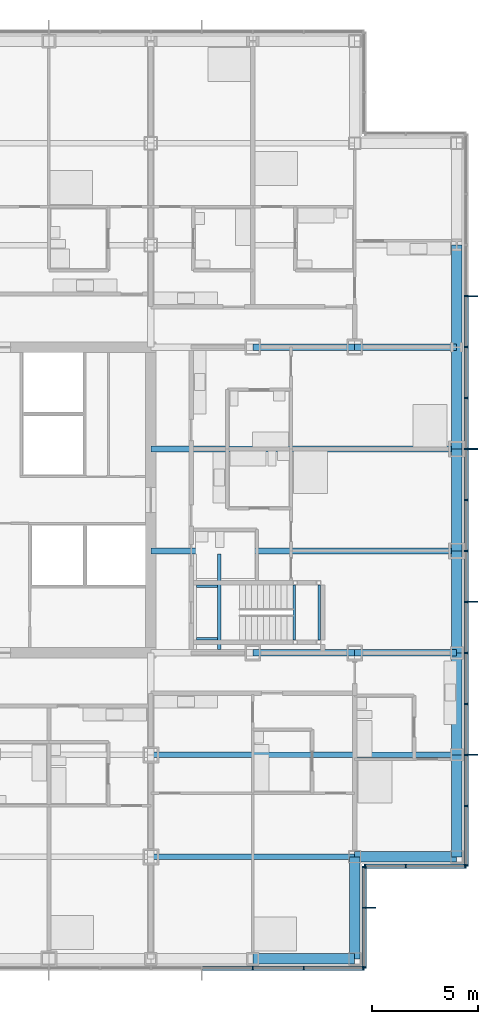
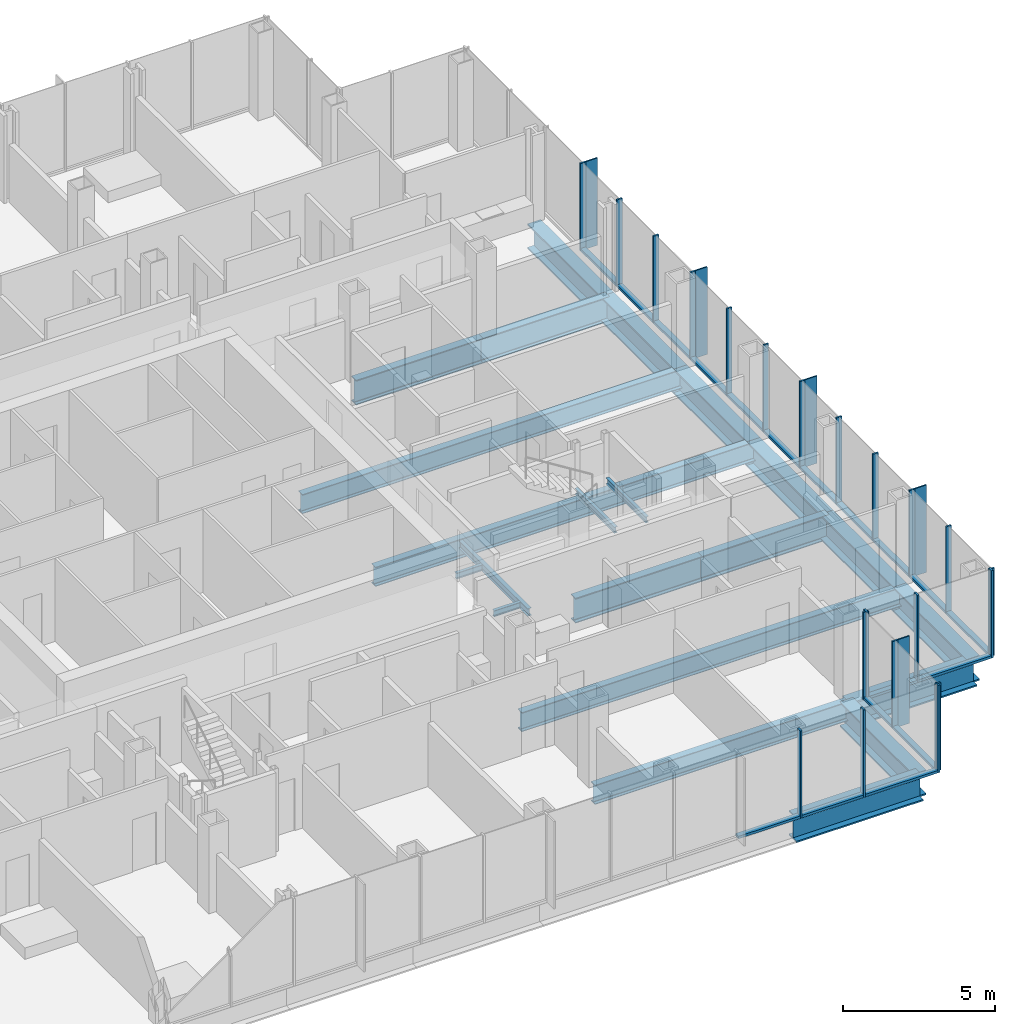
# One storey, part 9 of 21: 44 members, 22 beams, 4 elements without a shape of their own.
"""IFC4 building model written with IfcOpenShell, lengths in metres."""

from ifc_helpers import new_model, si_unit, direction, frame, origin, origin_2d, place, context, subcontext, project, spatial, rectangle, i_section, extrude, material, material_profile, profile_set, type_object, element, aggregate, save


model = new_model("IFC4")

# Units and contexts
model_context = context("Model", 3, precision=1e-05, world=origin(), true_north=direction((0.0, 1.0)))
body_context = subcontext(model_context, "Body", "Model", "MODEL_VIEW")
ifc_project = project(units=[si_unit("LENGTHUNIT", "METRE"), si_unit("AREAUNIT", "SQUARE_METRE"), si_unit("VOLUMEUNIT", "CUBIC_METRE"), si_unit("PLANEANGLEUNIT", "RADIAN"), si_unit("MASSUNIT", "GRAM", prefix="KILO")], contexts=[model_context])

# Site, building, storey
site_placement = place(None, origin())
site = spatial("IfcSite", under=ifc_project, at=site_placement, CompositionType="ELEMENT")
building_placement = place(site_placement, origin())
building = spatial("IfcBuilding", under=site, at=building_placement, Name="Kvirike Care Tower", CompositionType="ELEMENT")
storey_placement = place(building_placement, frame((0.0, 0.0, 44.5)))
storey = spatial("IfcBuildingStorey", under=building, at=storey_placement, Name="L11", CompositionType="ELEMENT", Elevation=44.5)

# Curtain wall, member
ifc_material_1 = material(Name="Anodised aluminium stick system", Category="aluminium")
curtain_wall_type = type_object("IfcCurtainWallType", Name="CW-A STICK CURTAIN WALL", PredefinedType="NOTDEFINED", material=ifc_material_1)
curtain_wall_1_placement = place(storey_placement, origin())
curtain_wall_1 = element("IfcCurtainWall", 1, at=curtain_wall_1_placement, inside=storey, type_object=curtain_wall_type, Name="Curtain wall L11 face 5", PredefinedType="NOTDEFINED")
ifc_material_2 = material(Name="Bronze anodised aluminium fin", Category="aluminium")
ifc_material_profile_1 = material_profile(ifc_material_2, rectangle(XDim=0.050048828125, YDim=0.449951171875, at=origin_2d()), Name="BRONZE FIN 450")
ifc_profile_set_1 = profile_set([ifc_material_profile_1], Name="Bronze anodised aluminium fin")
member_type_1 = type_object("IfcMemberType", Name="BRONZE FIN 450", PredefinedType="USERDEFINED", material=ifc_profile_set_1)
member_1_placement = place(storey_placement, frame((39.175048828125, 16.800048828125, 0.0), z_axis=(0.0, 0.0, 1.0), x_axis=(0.0, 1.0, 0.0)))
member_1 = element("IfcMember", 2, at=member_1_placement, type_object=member_type_1, Name="Bronze fin L11 face 5.2", ObjectType="FIN", PredefinedType="USERDEFINED", context=body_context, shape_type="SweptSolid", body=[
    extrude(rectangle(XDim=0.050048828125, YDim=0.449951171875, at=origin_2d()), origin(), (0.0, 0.0, 1.0), 3.5),
])

# Curtain wall, members
curtain_wall_2_placement = place(storey_placement, origin())
curtain_wall_2 = element("IfcCurtainWall", 3, at=curtain_wall_2_placement, inside=storey, type_object=curtain_wall_type, Name="Curtain wall L11 face 7", PredefinedType="NOTDEFINED")
member_2_placement = place(storey_placement, frame((43.97509765625, 24.0, 0.0), z_axis=(0.0, 0.0, 1.0), x_axis=(0.0, 1.0, 0.0)))
member_2 = element("IfcMember", 4, at=member_2_placement, type_object=member_type_1, Name="Bronze fin L11 face 7.3", ObjectType="FIN", PredefinedType="USERDEFINED", context=body_context, shape_type="SweptSolid", body=[
    extrude(rectangle(XDim=0.050048828125, YDim=0.449951171875, at=origin_2d()), origin(), (0.0, 0.0, 1.0), 3.5),
])
member_3_placement = place(storey_placement, frame((43.97509765625, 31.199951171875, 0.0), z_axis=(0.0, 0.0, 1.0), x_axis=(0.0, 1.0, 0.0)))
member_3 = element("IfcMember", 5, at=member_3_placement, type_object=member_type_1, Name="Bronze fin L11 face 7.6", ObjectType="FIN", PredefinedType="USERDEFINED", context=body_context, shape_type="SweptSolid", body=[
    extrude(rectangle(XDim=0.050048828125, YDim=0.449951171875, at=origin_2d()), origin(), (0.0, 0.0, 1.0), 3.5),
])
member_4_placement = place(storey_placement, frame((43.97509765625, 38.39990234375, 0.0), z_axis=(0.0, 0.0, 1.0), x_axis=(0.0, 1.0, 0.0)))
member_4 = element("IfcMember", 6, at=member_4_placement, type_object=member_type_1, Name="Bronze fin L11 face 7.9", ObjectType="FIN", PredefinedType="USERDEFINED", context=body_context, shape_type="SweptSolid", body=[
    extrude(rectangle(XDim=0.050048828125, YDim=0.449951171875, at=origin_2d()), origin(), (0.0, 0.0, 1.0), 3.5),
])
member_5_placement = place(storey_placement, frame((43.97509765625, 45.60009765625, 0.0), z_axis=(0.0, 0.0, 1.0), x_axis=(0.0, 1.0, 0.0)))
member_5 = element("IfcMember", 7, at=member_5_placement, type_object=member_type_1, Name="Bronze fin L11 face 7.12", ObjectType="FIN", PredefinedType="USERDEFINED", context=body_context, shape_type="SweptSolid", body=[
    extrude(rectangle(XDim=0.050048828125, YDim=0.449951171875, at=origin_2d()), origin(), (0.0, 0.0, 1.0), 3.5),
])

curtain_wall_3_placement = place(storey_placement, origin())
curtain_wall_3 = element("IfcCurtainWall", 8, at=curtain_wall_3_placement, inside=storey, type_object=curtain_wall_type, Name="Curtain wall L11 face 4", PredefinedType="NOTDEFINED")
ifc_material_3 = material(Name="Bronze anodised aluminium mullion", Category="aluminium")
ifc_material_profile_2 = material_profile(ifc_material_3, rectangle(XDim=0.06494140625, YDim=0.199951171875, at=origin_2d()), Name="CW-A MULLION 65x200")
ifc_profile_set_2 = profile_set([ifc_material_profile_2], Name="Bronze anodised aluminium mullion")
member_type_2 = type_object("IfcMemberType", Name="CW-A MULLION 65x200", PredefinedType="MULLION", material=ifc_profile_set_2)
member_6_placement = place(storey_placement, frame((33.60009765625, 13.949951171875, 0.0), z_axis=(0.0, 0.0, 1.0), x_axis=(1.0, 0.0, 0.0)))
member_6 = element("IfcMember", 9, at=member_6_placement, type_object=member_type_2, Name="CW-A mullion L11 face 4.13", PredefinedType="MULLION", context=body_context, shape_type="SweptSolid", body=[
    extrude(rectangle(XDim=0.06494140625, YDim=0.199951171875, at=origin_2d()), origin(), (0.0, 0.0, 1.0), 3.5),
])
member_7_placement = place(storey_placement, frame((36.0, 13.949951171875, 0.0), z_axis=(0.0, 0.0, 1.0), x_axis=(1.0, 0.0, 0.0)))
member_7 = element("IfcMember", 10, at=member_7_placement, type_object=member_type_2, Name="CW-A mullion L11 face 4.14", PredefinedType="MULLION", context=body_context, shape_type="SweptSolid", body=[
    extrude(rectangle(XDim=0.06494140625, YDim=0.199951171875, at=origin_2d()), origin(), (0.0, 0.0, 1.0), 3.5),
])
member_8_placement = place(storey_placement, frame((38.8173828125, 13.949951171875, 0.0), z_axis=(0.0, 0.0, 1.0), x_axis=(1.0, 0.0, 0.0)))
member_8 = element("IfcMember", 11, at=member_8_placement, type_object=member_type_2, Name="CW-A mullion L11 face 4.15", PredefinedType="MULLION", context=body_context, shape_type="SweptSolid", body=[
    extrude(rectangle(XDim=0.06494140625, YDim=0.199951171875, at=origin_2d()), origin(), (0.0, 0.0, 1.0), 3.5),
])

# Member
member_9_placement = place(storey_placement, frame((38.85009765625, 13.982421875, 0.0), z_axis=(0.0, 0.0, 1.0), x_axis=(0.0, 1.0, 0.0)))
member_9 = element("IfcMember", 12, at=member_9_placement, type_object=member_type_2, Name="CW-A mullion L11 face 5.1", PredefinedType="MULLION", context=body_context, shape_type="SweptSolid", body=[
    extrude(rectangle(XDim=0.06494140625, YDim=0.199951171875, at=origin_2d()), origin(), (0.0, 0.0, 1.0), 3.5),
])

member_10_placement = place(storey_placement, frame((38.85009765625, 16.800048828125, 0.0), z_axis=(0.0, 0.0, 1.0), x_axis=(0.0, 1.0, 0.0)))
member_10 = element("IfcMember", 13, at=member_10_placement, type_object=member_type_2, Name="CW-A mullion L11 face 5.2", PredefinedType="MULLION", context=body_context, shape_type="SweptSolid", body=[
    extrude(rectangle(XDim=0.06494140625, YDim=0.199951171875, at=origin_2d()), origin(), (0.0, 0.0, 1.0), 3.5),
])

member_11_placement = place(storey_placement, frame((38.85009765625, 18.717529296875, 0.0), z_axis=(0.0, 0.0, 1.0), x_axis=(0.0, 1.0, 0.0)))
member_11 = element("IfcMember", 14, at=member_11_placement, type_object=member_type_2, Name="CW-A mullion L11 face 5.3", PredefinedType="MULLION", context=body_context, shape_type="SweptSolid", body=[
    extrude(rectangle(XDim=0.06494140625, YDim=0.199951171875, at=origin_2d()), origin(), (0.0, 0.0, 1.0), 3.5),
])

# Curtain wall, members
curtain_wall_4_placement = place(storey_placement, origin())
curtain_wall_4 = element("IfcCurtainWall", 15, at=curtain_wall_4_placement, inside=storey, type_object=curtain_wall_type, Name="Curtain wall L11 face 6", PredefinedType="NOTDEFINED")
member_12_placement = place(storey_placement, frame((38.882568359375, 18.75, 0.0), z_axis=(0.0, 0.0, 1.0), x_axis=(1.0, 0.0, 0.0)))
member_12 = element("IfcMember", 16, at=member_12_placement, type_object=member_type_2, Name="CW-A mullion L11 face 6.1", PredefinedType="MULLION", context=body_context, shape_type="SweptSolid", body=[
    extrude(rectangle(XDim=0.06494140625, YDim=0.199951171875, at=origin_2d()), origin(), (0.0, 0.0, 1.0), 3.5),
])
member_13_placement = place(storey_placement, frame((40.800048828125, 18.75, 0.0), z_axis=(0.0, 0.0, 1.0), x_axis=(1.0, 0.0, 0.0)))
member_13 = element("IfcMember", 17, at=member_13_placement, type_object=member_type_2, Name="CW-A mullion L11 face 6.2", PredefinedType="MULLION", context=body_context, shape_type="SweptSolid", body=[
    extrude(rectangle(XDim=0.06494140625, YDim=0.199951171875, at=origin_2d()), origin(), (0.0, 0.0, 1.0), 3.5),
])
member_14_placement = place(storey_placement, frame((43.617431640625, 18.75, 0.0), z_axis=(0.0, 0.0, 1.0), x_axis=(1.0, 0.0, 0.0)))
member_14 = element("IfcMember", 18, at=member_14_placement, type_object=member_type_2, Name="CW-A mullion L11 face 6.3", PredefinedType="MULLION", context=body_context, shape_type="SweptSolid", body=[
    extrude(rectangle(XDim=0.06494140625, YDim=0.199951171875, at=origin_2d()), origin(), (0.0, 0.0, 1.0), 3.5),
])

# Member
member_15_placement = place(storey_placement, frame((43.64990234375, 18.782470703125, 0.0), z_axis=(0.0, 0.0, 1.0), x_axis=(0.0, 1.0, 0.0)))
member_15 = element("IfcMember", 19, at=member_15_placement, type_object=member_type_2, Name="CW-A mullion L11 face 7.1", PredefinedType="MULLION", context=body_context, shape_type="SweptSolid", body=[
    extrude(rectangle(XDim=0.06494140625, YDim=0.199951171875, at=origin_2d()), origin(), (0.0, 0.0, 1.0), 3.5),
])

member_16_placement = place(storey_placement, frame((43.64990234375, 21.60009765625, 0.0), z_axis=(0.0, 0.0, 1.0), x_axis=(0.0, 1.0, 0.0)))
member_16 = element("IfcMember", 20, at=member_16_placement, type_object=member_type_2, Name="CW-A mullion L11 face 7.2", PredefinedType="MULLION", context=body_context, shape_type="SweptSolid", body=[
    extrude(rectangle(XDim=0.06494140625, YDim=0.199951171875, at=origin_2d()), origin(), (0.0, 0.0, 1.0), 3.5),
])

member_17_placement = place(storey_placement, frame((43.64990234375, 24.0, 0.0), z_axis=(0.0, 0.0, 1.0), x_axis=(0.0, 1.0, 0.0)))
member_17 = element("IfcMember", 21, at=member_17_placement, type_object=member_type_2, Name="CW-A mullion L11 face 7.3", PredefinedType="MULLION", context=body_context, shape_type="SweptSolid", body=[
    extrude(rectangle(XDim=0.06494140625, YDim=0.199951171875, at=origin_2d()), origin(), (0.0, 0.0, 1.0), 3.5),
])

member_18_placement = place(storey_placement, frame((43.64990234375, 26.39990234375, 0.0), z_axis=(0.0, 0.0, 1.0), x_axis=(0.0, 1.0, 0.0)))
member_18 = element("IfcMember", 22, at=member_18_placement, type_object=member_type_2, Name="CW-A mullion L11 face 7.4", PredefinedType="MULLION", context=body_context, shape_type="SweptSolid", body=[
    extrude(rectangle(XDim=0.06494140625, YDim=0.199951171875, at=origin_2d()), origin(), (0.0, 0.0, 1.0), 3.5),
])

member_19_placement = place(storey_placement, frame((43.64990234375, 28.800048828125, 0.0), z_axis=(0.0, 0.0, 1.0), x_axis=(0.0, 1.0, 0.0)))
member_19 = element("IfcMember", 23, at=member_19_placement, type_object=member_type_2, Name="CW-A mullion L11 face 7.5", PredefinedType="MULLION", context=body_context, shape_type="SweptSolid", body=[
    extrude(rectangle(XDim=0.06494140625, YDim=0.199951171875, at=origin_2d()), origin(), (0.0, 0.0, 1.0), 3.5),
])

member_20_placement = place(storey_placement, frame((43.64990234375, 31.199951171875, 0.0), z_axis=(0.0, 0.0, 1.0), x_axis=(0.0, 1.0, 0.0)))
member_20 = element("IfcMember", 24, at=member_20_placement, type_object=member_type_2, Name="CW-A mullion L11 face 7.6", PredefinedType="MULLION", context=body_context, shape_type="SweptSolid", body=[
    extrude(rectangle(XDim=0.06494140625, YDim=0.199951171875, at=origin_2d()), origin(), (0.0, 0.0, 1.0), 3.5),
])

member_21_placement = place(storey_placement, frame((43.64990234375, 33.60009765625, 0.0), z_axis=(0.0, 0.0, 1.0), x_axis=(0.0, 1.0, 0.0)))
member_21 = element("IfcMember", 25, at=member_21_placement, type_object=member_type_2, Name="CW-A mullion L11 face 7.7", PredefinedType="MULLION", context=body_context, shape_type="SweptSolid", body=[
    extrude(rectangle(XDim=0.06494140625, YDim=0.199951171875, at=origin_2d()), origin(), (0.0, 0.0, 1.0), 3.5),
])

member_22_placement = place(storey_placement, frame((43.64990234375, 36.0, 0.0), z_axis=(0.0, 0.0, 1.0), x_axis=(0.0, 1.0, 0.0)))
member_22 = element("IfcMember", 26, at=member_22_placement, type_object=member_type_2, Name="CW-A mullion L11 face 7.8", PredefinedType="MULLION", context=body_context, shape_type="SweptSolid", body=[
    extrude(rectangle(XDim=0.06494140625, YDim=0.199951171875, at=origin_2d()), origin(), (0.0, 0.0, 1.0), 3.5),
])

member_23_placement = place(storey_placement, frame((43.64990234375, 38.39990234375, 0.0), z_axis=(0.0, 0.0, 1.0), x_axis=(0.0, 1.0, 0.0)))
member_23 = element("IfcMember", 27, at=member_23_placement, type_object=member_type_2, Name="CW-A mullion L11 face 7.9", PredefinedType="MULLION", context=body_context, shape_type="SweptSolid", body=[
    extrude(rectangle(XDim=0.06494140625, YDim=0.199951171875, at=origin_2d()), origin(), (0.0, 0.0, 1.0), 3.5),
])

member_24_placement = place(storey_placement, frame((43.64990234375, 40.800048828125, 0.0), z_axis=(0.0, 0.0, 1.0), x_axis=(0.0, 1.0, 0.0)))
member_24 = element("IfcMember", 28, at=member_24_placement, type_object=member_type_2, Name="CW-A mullion L11 face 7.10", PredefinedType="MULLION", context=body_context, shape_type="SweptSolid", body=[
    extrude(rectangle(XDim=0.06494140625, YDim=0.199951171875, at=origin_2d()), origin(), (0.0, 0.0, 1.0), 3.5),
])

member_25_placement = place(storey_placement, frame((43.64990234375, 43.199951171875, 0.0), z_axis=(0.0, 0.0, 1.0), x_axis=(0.0, 1.0, 0.0)))
member_25 = element("IfcMember", 29, at=member_25_placement, type_object=member_type_2, Name="CW-A mullion L11 face 7.11", PredefinedType="MULLION", context=body_context, shape_type="SweptSolid", body=[
    extrude(rectangle(XDim=0.06494140625, YDim=0.199951171875, at=origin_2d()), origin(), (0.0, 0.0, 1.0), 3.5),
])

member_26_placement = place(storey_placement, frame((43.64990234375, 45.60009765625, 0.0), z_axis=(0.0, 0.0, 1.0), x_axis=(0.0, 1.0, 0.0)))
member_26 = element("IfcMember", 30, at=member_26_placement, type_object=member_type_2, Name="CW-A mullion L11 face 7.12", PredefinedType="MULLION", context=body_context, shape_type="SweptSolid", body=[
    extrude(rectangle(XDim=0.06494140625, YDim=0.199951171875, at=origin_2d()), origin(), (0.0, 0.0, 1.0), 3.5),
])

ifc_material_4 = material(Name="Bronze anodised aluminium transom", Category="aluminium")
ifc_material_profile_3 = material_profile(ifc_material_4, rectangle(XDim=0.199951171875, YDim=0.10009765625, at=origin_2d()), Name="CW-A TRANSOM 200x100")
ifc_profile_set_3 = profile_set([ifc_material_profile_3], Name="Bronze anodised aluminium transom")
member_type_3 = type_object("IfcMemberType", Name="CW-A TRANSOM 200x100", PredefinedType="USERDEFINED", material=ifc_profile_set_3)
member_27_placement = place(storey_placement, frame((31.232421875, 13.949951171875, 0.050048828125), z_axis=(1.0, 0.0, 0.0), x_axis=(0.0, 1.0, 0.0)))
member_27 = element("IfcMember", 31, at=member_27_placement, type_object=member_type_3, Name="CW-A sill transom L11 face 4.12", ObjectType="TRANSOM", PredefinedType="USERDEFINED", context=body_context, shape_type="SweptSolid", body=[
    extrude(rectangle(XDim=0.199951171875, YDim=0.10009765625, at=origin_2d()), origin(), (0.0, 0.0, 1.0), 2.3349609375),
])

member_28_placement = place(storey_placement, frame((33.632568359375, 13.949951171875, 0.050048828125), z_axis=(1.0, 0.0, 0.0), x_axis=(0.0, 1.0, 0.0)))
member_28 = element("IfcMember", 32, at=member_28_placement, type_object=member_type_3, Name="CW-A sill transom L11 face 4.13", ObjectType="TRANSOM", PredefinedType="USERDEFINED", context=body_context, shape_type="SweptSolid", body=[
    extrude(rectangle(XDim=0.199951171875, YDim=0.10009765625, at=origin_2d()), origin(), (0.0, 0.0, 1.0), 2.3349609375),
])

member_29_placement = place(storey_placement, frame((36.032470703125, 13.949951171875, 0.050048828125), z_axis=(1.0, 0.0, 0.0), x_axis=(0.0, 1.0, 0.0)))
member_29 = element("IfcMember", 33, at=member_29_placement, type_object=member_type_3, Name="CW-A sill transom L11 face 4.14", ObjectType="TRANSOM", PredefinedType="USERDEFINED", context=body_context, shape_type="SweptSolid", body=[
    extrude(rectangle(XDim=0.199951171875, YDim=0.10009765625, at=origin_2d()), origin(), (0.0, 0.0, 1.0), 2.75244140625),
])

aggregate(curtain_wall_3, [member_6, member_7, member_8, member_27, member_28, member_29])

member_30_placement = place(storey_placement, frame((38.85009765625, 14.014892578125, 0.050048828125), z_axis=(0.0, 1.0, 0.0), x_axis=(-1.0, 0.0, 0.0)))
member_30 = element("IfcMember", 34, at=member_30_placement, type_object=member_type_3, Name="CW-A sill transom L11 face 5.1", ObjectType="TRANSOM", PredefinedType="USERDEFINED", context=body_context, shape_type="SweptSolid", body=[
    extrude(rectangle(XDim=0.199951171875, YDim=0.10009765625, at=origin_2d()), origin(), (0.0, 0.0, 1.0), 2.752685546875),
])

member_31_placement = place(storey_placement, frame((38.85009765625, 16.83251953125, 0.050048828125), z_axis=(0.0, 1.0, 0.0), x_axis=(-1.0, 0.0, 0.0)))
member_31 = element("IfcMember", 35, at=member_31_placement, type_object=member_type_3, Name="CW-A sill transom L11 face 5.2", ObjectType="TRANSOM", PredefinedType="USERDEFINED", context=body_context, shape_type="SweptSolid", body=[
    extrude(rectangle(XDim=0.199951171875, YDim=0.10009765625, at=origin_2d()), origin(), (0.0, 0.0, 1.0), 1.8525390625),
])

aggregate(curtain_wall_1, [member_9, member_10, member_1, member_11, member_30, member_31])

member_32_placement = place(storey_placement, frame((38.9150390625, 18.75, 0.050048828125), z_axis=(1.0, 0.0, 0.0), x_axis=(0.0, 1.0, 0.0)))
member_32 = element("IfcMember", 36, at=member_32_placement, type_object=member_type_3, Name="CW-A sill transom L11 face 6.1", ObjectType="TRANSOM", PredefinedType="USERDEFINED", context=body_context, shape_type="SweptSolid", body=[
    extrude(rectangle(XDim=0.199951171875, YDim=0.10009765625, at=origin_2d()), origin(), (0.0, 0.0, 1.0), 1.8525390625),
])

member_33_placement = place(storey_placement, frame((40.83251953125, 18.75, 0.050048828125), z_axis=(1.0, 0.0, 0.0), x_axis=(0.0, 1.0, 0.0)))
member_33 = element("IfcMember", 37, at=member_33_placement, type_object=member_type_3, Name="CW-A sill transom L11 face 6.2", ObjectType="TRANSOM", PredefinedType="USERDEFINED", context=body_context, shape_type="SweptSolid", body=[
    extrude(rectangle(XDim=0.199951171875, YDim=0.10009765625, at=origin_2d()), origin(), (0.0, 0.0, 1.0), 2.75244140625),
])

aggregate(curtain_wall_4, [member_12, member_13, member_14, member_32, member_33])

member_34_placement = place(storey_placement, frame((43.64990234375, 18.81494140625, 0.050048828125), z_axis=(0.0, 1.0, 0.0), x_axis=(-1.0, 0.0, 0.0)))
member_34 = element("IfcMember", 38, at=member_34_placement, type_object=member_type_3, Name="CW-A sill transom L11 face 7.1", ObjectType="TRANSOM", PredefinedType="USERDEFINED", context=body_context, shape_type="SweptSolid", body=[
    extrude(rectangle(XDim=0.199951171875, YDim=0.10009765625, at=origin_2d()), origin(), (0.0, 0.0, 1.0), 2.75244140625),
])

member_35_placement = place(storey_placement, frame((43.64990234375, 21.632568359375, 0.050048828125), z_axis=(0.0, 1.0, 0.0), x_axis=(-1.0, 0.0, 0.0)))
member_35 = element("IfcMember", 39, at=member_35_placement, type_object=member_type_3, Name="CW-A sill transom L11 face 7.2", ObjectType="TRANSOM", PredefinedType="USERDEFINED", context=body_context, shape_type="SweptSolid", body=[
    extrude(rectangle(XDim=0.199951171875, YDim=0.10009765625, at=origin_2d()), origin(), (0.0, 0.0, 1.0), 2.3349609375),
])

member_36_placement = place(storey_placement, frame((43.64990234375, 24.032470703125, 0.050048828125), z_axis=(0.0, 1.0, 0.0), x_axis=(-1.0, 0.0, 0.0)))
member_36 = element("IfcMember", 40, at=member_36_placement, type_object=member_type_3, Name="CW-A sill transom L11 face 7.3", ObjectType="TRANSOM", PredefinedType="USERDEFINED", context=body_context, shape_type="SweptSolid", body=[
    extrude(rectangle(XDim=0.199951171875, YDim=0.10009765625, at=origin_2d()), origin(), (0.0, 0.0, 1.0), 2.3349609375),
])

member_37_placement = place(storey_placement, frame((43.64990234375, 26.4326171875, 0.050048828125), z_axis=(0.0, 1.0, 0.0), x_axis=(-1.0, 0.0, 0.0)))
member_37 = element("IfcMember", 41, at=member_37_placement, type_object=member_type_3, Name="CW-A sill transom L11 face 7.4", ObjectType="TRANSOM", PredefinedType="USERDEFINED", context=body_context, shape_type="SweptSolid", body=[
    extrude(rectangle(XDim=0.199951171875, YDim=0.10009765625, at=origin_2d()), origin(), (0.0, 0.0, 1.0), 2.3349609375),
])

member_38_placement = place(storey_placement, frame((43.64990234375, 28.83251953125, 0.050048828125), z_axis=(0.0, 1.0, 0.0), x_axis=(-1.0, 0.0, 0.0)))
member_38 = element("IfcMember", 42, at=member_38_placement, type_object=member_type_3, Name="CW-A sill transom L11 face 7.5", ObjectType="TRANSOM", PredefinedType="USERDEFINED", context=body_context, shape_type="SweptSolid", body=[
    extrude(rectangle(XDim=0.199951171875, YDim=0.10009765625, at=origin_2d()), origin(), (0.0, 0.0, 1.0), 2.3349609375),
])

member_39_placement = place(storey_placement, frame((43.64990234375, 31.232421875, 0.050048828125), z_axis=(0.0, 1.0, 0.0), x_axis=(-1.0, 0.0, 0.0)))
member_39 = element("IfcMember", 43, at=member_39_placement, type_object=member_type_3, Name="CW-A sill transom L11 face 7.6", ObjectType="TRANSOM", PredefinedType="USERDEFINED", context=body_context, shape_type="SweptSolid", body=[
    extrude(rectangle(XDim=0.199951171875, YDim=0.10009765625, at=origin_2d()), origin(), (0.0, 0.0, 1.0), 2.3349609375),
])

member_40_placement = place(storey_placement, frame((43.64990234375, 33.632568359375, 0.050048828125), z_axis=(0.0, 1.0, 0.0), x_axis=(-1.0, 0.0, 0.0)))
member_40 = element("IfcMember", 44, at=member_40_placement, type_object=member_type_3, Name="CW-A sill transom L11 face 7.7", ObjectType="TRANSOM", PredefinedType="USERDEFINED", context=body_context, shape_type="SweptSolid", body=[
    extrude(rectangle(XDim=0.199951171875, YDim=0.10009765625, at=origin_2d()), origin(), (0.0, 0.0, 1.0), 2.3349609375),
])

member_41_placement = place(storey_placement, frame((43.64990234375, 36.032470703125, 0.050048828125), z_axis=(0.0, 1.0, 0.0), x_axis=(-1.0, 0.0, 0.0)))
member_41 = element("IfcMember", 45, at=member_41_placement, type_object=member_type_3, Name="CW-A sill transom L11 face 7.8", ObjectType="TRANSOM", PredefinedType="USERDEFINED", context=body_context, shape_type="SweptSolid", body=[
    extrude(rectangle(XDim=0.199951171875, YDim=0.10009765625, at=origin_2d()), origin(), (0.0, 0.0, 1.0), 2.3349609375),
])

member_42_placement = place(storey_placement, frame((43.64990234375, 38.4326171875, 0.050048828125), z_axis=(0.0, 1.0, 0.0), x_axis=(-1.0, 0.0, 0.0)))
member_42 = element("IfcMember", 46, at=member_42_placement, type_object=member_type_3, Name="CW-A sill transom L11 face 7.9", ObjectType="TRANSOM", PredefinedType="USERDEFINED", context=body_context, shape_type="SweptSolid", body=[
    extrude(rectangle(XDim=0.199951171875, YDim=0.10009765625, at=origin_2d()), origin(), (0.0, 0.0, 1.0), 2.3349609375),
])

member_43_placement = place(storey_placement, frame((43.64990234375, 40.83251953125, 0.050048828125), z_axis=(0.0, 1.0, 0.0), x_axis=(-1.0, 0.0, 0.0)))
member_43 = element("IfcMember", 47, at=member_43_placement, type_object=member_type_3, Name="CW-A sill transom L11 face 7.10", ObjectType="TRANSOM", PredefinedType="USERDEFINED", context=body_context, shape_type="SweptSolid", body=[
    extrude(rectangle(XDim=0.199951171875, YDim=0.10009765625, at=origin_2d()), origin(), (0.0, 0.0, 1.0), 2.3349609375),
])

member_44_placement = place(storey_placement, frame((43.64990234375, 43.232421875, 0.050048828125), z_axis=(0.0, 1.0, 0.0), x_axis=(-1.0, 0.0, 0.0)))
member_44 = element("IfcMember", 48, at=member_44_placement, type_object=member_type_3, Name="CW-A sill transom L11 face 7.11", ObjectType="TRANSOM", PredefinedType="USERDEFINED", context=body_context, shape_type="SweptSolid", body=[
    extrude(rectangle(XDim=0.199951171875, YDim=0.10009765625, at=origin_2d()), origin(), (0.0, 0.0, 1.0), 2.3349609375),
])

aggregate(curtain_wall_2, [member_15, member_16, member_17, member_2, member_18, member_19, member_20, member_3, member_21, member_22, member_23, member_4, member_24, member_25, member_26, member_5, member_34, member_35, member_36, member_37, member_38, member_39, member_40, member_41, member_42, member_43, member_44])

# Beams
ifc_material_5 = material(Name="Steel S355", Category="steel")
ifc_material_profile_4 = material_profile(ifc_material_5, i_section(OverallWidth=0.26806640625, OverallDepth=0.77001953125, WebThickness=0.015625, FlangeThickness=0.025390625, FilletRadius=0.01708984375, at=origin_2d()), Name="IPE 750x196")
ifc_profile_set_4 = profile_set([ifc_material_profile_4], Name="Steel S355")
beam_type_1 = type_object("IfcBeamType", Name="FLOOR BEAM IPE 750x196", PredefinedType="BEAM", material=ifc_profile_set_4)
beam_1_placement = place(storey_placement, frame((28.800048828125, 19.199951171875, -0.554931640625), z_axis=(1.0, 0.0, 0.0), x_axis=(0.0, 1.0, 0.0)))
element("IfcBeam", 49, at=beam_1_placement, inside=storey, type_object=beam_type_1, Name="Floor Beam E9-E11 L11", PredefinedType="BEAM", context=body_context, shape_type="SweptSolid", body=[
    extrude(i_section(OverallWidth=0.26806640625, OverallDepth=0.77001953125, WebThickness=0.015625, FlangeThickness=0.025390625, FilletRadius=0.01708984375, at=origin_2d()), origin(), (0.0, 0.0, 1.0), 9.599853515625),
])
for number, where, z_axis, x_axis, name in (
    (50, (28.800048828125, 24.0, -0.554931640625), (1.0, 0.0, 0.0), (0.0, 1.0, 0.0), "Floor Beam F9-F12 L11"),
    (51, (28.800048828125, 33.60009765625, -0.554931640625), (1.0, 0.0, 0.0), (0.0, 1.0, 0.0), "Floor Beam H9-H12 L11"),
    (52, (28.800048828125, 38.39990234375, -0.554931640625), (1.0, 0.0, 0.0), (0.0, 1.0, 0.0), "Floor Beam J9-J12 L11"),
):
    element("IfcBeam", number, at=place(storey_placement, frame(where, z_axis=z_axis, x_axis=x_axis)), inside=storey, type_object=beam_type_1, Name=name, PredefinedType="BEAM", context=body_context, shape_type="SweptSolid", body=[
        extrude(i_section(OverallWidth=0.26806640625, OverallDepth=0.77001953125, WebThickness=0.015625, FlangeThickness=0.025390625, FilletRadius=0.01708984375, at=origin_2d()), origin(), (0.0, 0.0, 1.0), 14.39990234375),
    ])
ifc_material_6 = material(Name="Steel S355", Category="steel")
ifc_material_profile_5 = material_profile(ifc_material_6, i_section(OverallWidth=0.300048828125, OverallDepth=1.0, WebThickness=0.01904296875, FlangeThickness=0.035888671875, FilletRadius=0.030029296875, at=origin_2d()), Name="HE 1000 B")
ifc_profile_set_5 = profile_set([ifc_material_profile_5], Name="Steel S355")
beam_type_2 = type_object("IfcBeamType", Name="FRAME BEAM HE 1000 B", PredefinedType="BEAM", material=ifc_profile_set_5)
beam_2_placement = place(storey_placement, frame((33.60009765625, 28.800048828125, -0.669921875), z_axis=(1.0, 0.0, 0.0), x_axis=(0.0, 1.0, 0.0)))
element("IfcBeam", 53, at=beam_2_placement, inside=storey, type_object=beam_type_2, Name="Frame Beam G10-G11 L11", PredefinedType="BEAM", context=body_context, shape_type="SweptSolid", body=[
    extrude(i_section(OverallWidth=0.300048828125, OverallDepth=1.0, WebThickness=0.01904296875, FlangeThickness=0.035888671875, FilletRadius=0.030029296875, at=origin_2d()), origin(), (0.0, 0.0, 1.0), 4.7998046875),
])
beam_3_placement = place(storey_placement, frame((38.39990234375, 28.800048828125, -0.669921875), z_axis=(1.0, 0.0, 0.0), x_axis=(0.0, 1.0, 0.0)))
element("IfcBeam", 54, at=beam_3_placement, inside=storey, type_object=beam_type_2, Name="Frame Beam G11-G12 L11", PredefinedType="BEAM", context=body_context, shape_type="SweptSolid", body=[
    extrude(i_section(OverallWidth=0.300048828125, OverallDepth=1.0, WebThickness=0.01904296875, FlangeThickness=0.035888671875, FilletRadius=0.030029296875, at=origin_2d()), origin(), (0.0, 0.0, 1.0), 4.800048828125),
])
beam_4_placement = place(storey_placement, frame((33.60009765625, 43.199951171875, -0.669921875), z_axis=(1.0, 0.0, 0.0), x_axis=(0.0, 1.0, 0.0)))
element("IfcBeam", 55, at=beam_4_placement, inside=storey, type_object=beam_type_2, Name="Frame Beam K10-K11 L11", PredefinedType="BEAM", context=body_context, shape_type="SweptSolid", body=[
    extrude(i_section(OverallWidth=0.300048828125, OverallDepth=1.0, WebThickness=0.01904296875, FlangeThickness=0.035888671875, FilletRadius=0.030029296875, at=origin_2d()), origin(), (0.0, 0.0, 1.0), 4.7998046875),
])
beam_5_placement = place(storey_placement, frame((38.39990234375, 43.199951171875, -0.669921875), z_axis=(1.0, 0.0, 0.0), x_axis=(0.0, 1.0, 0.0)))
element("IfcBeam", 56, at=beam_5_placement, inside=storey, type_object=beam_type_2, Name="Frame Beam K11-K12 L11", PredefinedType="BEAM", context=body_context, shape_type="SweptSolid", body=[
    extrude(i_section(OverallWidth=0.300048828125, OverallDepth=1.0, WebThickness=0.01904296875, FlangeThickness=0.035888671875, FilletRadius=0.030029296875, at=origin_2d()), origin(), (0.0, 0.0, 1.0), 4.800048828125),
])
ifc_material_7 = material(Name="Steel S355", Category="steel")
ifc_material_profile_6 = material_profile(ifc_material_7, i_section(OverallWidth=0.5, OverallDepth=1.0, WebThickness=0.030029296875, FlangeThickness=0.06005859375, at=origin_2d()), Name="PG 1000x500x30x60")
ifc_profile_set_6 = profile_set([ifc_material_profile_6], Name="Steel S355")
beam_type_3 = type_object("IfcBeamType", Name="SPANDREL PG 1000x500x30x60", PredefinedType="SPANDREL", material=ifc_profile_set_6)
beam_6_placement = place(storey_placement, frame((33.60009765625, 14.39990234375, -0.669921875), z_axis=(1.0, 0.0, 0.0), x_axis=(0.0, 1.0, 0.0)))
element("IfcBeam", 57, at=beam_6_placement, inside=storey, type_object=beam_type_3, Name="Spandrel D10-D11 L11", PredefinedType="SPANDREL", context=body_context, shape_type="SweptSolid", body=[
    extrude(i_section(OverallWidth=0.5, OverallDepth=1.0, WebThickness=0.030029296875, FlangeThickness=0.06005859375, at=origin_2d()), origin(), (0.0, 0.0, 1.0), 4.7998046875),
])
for number, where, z_axis, x_axis, name in (
    (58, (38.39990234375, 19.199951171875, -0.669921875), (1.0, 0.0, 0.0), (0.0, 1.0, 0.0), "Spandrel E11-E12 L11"),
    (59, (38.39990234375, 14.39990234375, -0.669921875), (0.0, 1.0, 0.0), (-1.0, 0.0, 0.0), "Spandrel D11-E11 L11"),
    (60, (43.199951171875, 19.199951171875, -0.669921875), (0.0, 1.0, 0.0), (-1.0, 0.0, 0.0), "Spandrel E12-F12 L11"),
    (61, (43.199951171875, 24.0, -0.669921875), (0.0, 1.0, 0.0), (-1.0, 0.0, 0.0), "Spandrel F12-G12 L11"),
    (62, (43.199951171875, 28.800048828125, -0.669921875), (0.0, 1.0, 0.0), (-1.0, 0.0, 0.0), "Spandrel G12-H12 L11"),
):
    element("IfcBeam", number, at=place(storey_placement, frame(where, z_axis=z_axis, x_axis=x_axis)), inside=storey, type_object=beam_type_3, Name=name, PredefinedType="SPANDREL", context=body_context, shape_type="SweptSolid", body=[
        extrude(i_section(OverallWidth=0.5, OverallDepth=1.0, WebThickness=0.030029296875, FlangeThickness=0.06005859375, at=origin_2d()), origin(), (0.0, 0.0, 1.0), 4.800048828125),
    ])
beam_7_placement = place(storey_placement, frame((43.199951171875, 33.60009765625, -0.669921875), z_axis=(0.0, 1.0, 0.0), x_axis=(-1.0, 0.0, 0.0)))
element("IfcBeam", 63, at=beam_7_placement, inside=storey, type_object=beam_type_3, Name="Spandrel H12-J12 L11", PredefinedType="SPANDREL", context=body_context, shape_type="SweptSolid", body=[
    extrude(i_section(OverallWidth=0.5, OverallDepth=1.0, WebThickness=0.030029296875, FlangeThickness=0.06005859375, at=origin_2d()), origin(), (0.0, 0.0, 1.0), 4.7998046875),
])
for number, where, z_axis, x_axis, name in (
    (64, (43.199951171875, 38.39990234375, -0.669921875), (0.0, 1.0, 0.0), (-1.0, 0.0, 0.0), "Spandrel J12-K12 L11"),
    (65, (43.199951171875, 43.199951171875, -0.669921875), (0.0, 1.0, 0.0), (-1.0, 0.0, 0.0), "Spandrel K12-L12 L11"),
):
    element("IfcBeam", number, at=place(storey_placement, frame(where, z_axis=z_axis, x_axis=x_axis)), inside=storey, type_object=beam_type_3, Name=name, PredefinedType="SPANDREL", context=body_context, shape_type="SweptSolid", body=[
        extrude(i_section(OverallWidth=0.5, OverallDepth=1.0, WebThickness=0.030029296875, FlangeThickness=0.06005859375, at=origin_2d()), origin(), (0.0, 0.0, 1.0), 4.800048828125),
    ])
ifc_material_8 = material(Name="Steel S355", Category="steel")
ifc_material_profile_7 = material_profile(ifc_material_8, i_section(OverallWidth=0.1201171875, OverallDepth=0.239990234375, WebThickness=0.006103515625, FlangeThickness=0.009765625, FilletRadius=0.014892578125, at=origin_2d()), Name="IPE 240")
ifc_profile_set_7 = profile_set([ifc_material_profile_7], Name="Steel S355")
beam_type_4 = type_object("IfcBeamType", Name="STAIR LANDING BEAM IPE 240", PredefinedType="BEAM", material=ifc_profile_set_7)
for number, where, z_axis, x_axis, name in (
    (66, (36.739990234375, 29.39990234375, 1.429931640625), (0.0, 1.0, 0.0), (-1.0, 0.0, 0.0), "Stair 2 landing beam back L11"),
    (67, (35.56005859375, 29.39990234375, 1.429931640625), (0.0, 1.0, 0.0), (-1.0, 0.0, 0.0), "Stair 2 landing beam front L11"),
):
    element("IfcBeam", number, at=place(storey_placement, frame(where, z_axis=z_axis, x_axis=x_axis)), inside=storey, type_object=beam_type_4, Name=name, PredefinedType="BEAM", context=body_context, shape_type="SweptSolid", body=[
        extrude(i_section(OverallWidth=0.1201171875, OverallDepth=0.239990234375, WebThickness=0.006103515625, FlangeThickness=0.009765625, FilletRadius=0.014892578125, at=origin_2d()), origin(), (0.0, 0.0, 1.0), 2.60009765625),
    ])
for number, where, z_axis, x_axis, name in (
    (68, (31.949951171875, 29.4599609375, -0.320068359375), (-1.0, 0.0, 0.0), (0.0, -1.0, 0.0), "Stair 2 landing edge beam 1 L11"),
    (69, (31.949951171875, 31.93994140625, -0.320068359375), (-1.0, 0.0, 0.0), (0.0, -1.0, 0.0), "Stair 2 landing edge beam 2 L11"),
):
    element("IfcBeam", number, at=place(storey_placement, frame(where, z_axis=z_axis, x_axis=x_axis)), inside=storey, type_object=beam_type_4, Name=name, PredefinedType="BEAM", context=body_context, shape_type="SweptSolid", body=[
        extrude(i_section(OverallWidth=0.1201171875, OverallDepth=0.239990234375, WebThickness=0.006103515625, FlangeThickness=0.009765625, FilletRadius=0.014892578125, at=origin_2d()), origin(), (0.0, 0.0, 1.0), 1.0),
    ])
ifc_material_9 = material(Name="Steel S355", Category="steel")
ifc_material_profile_8 = material_profile(ifc_material_9, i_section(OverallWidth=0.14990234375, OverallDepth=0.300048828125, WebThickness=0.007080078125, FlangeThickness=0.0107421875, FilletRadius=0.014892578125, at=origin_2d()), Name="IPE 300")
ifc_profile_set_8 = profile_set([ifc_material_profile_8], Name="Steel S355")
beam_type_5 = type_object("IfcBeamType", Name="STAIR TRIMMER IPE 300", PredefinedType="BEAM", material=ifc_profile_set_8)
beam_8_placement = place(storey_placement, frame((32.02490234375, 28.949951171875, -0.35009765625), z_axis=(0.0, 1.0, 0.0), x_axis=(-1.0, 0.0, 0.0)))
element("IfcBeam", 70, at=beam_8_placement, inside=storey, type_object=beam_type_5, Name="Stair 2 trimmer 1 L11", PredefinedType="BEAM", context=body_context, shape_type="SweptSolid", body=[
    extrude(i_section(OverallWidth=0.14990234375, OverallDepth=0.300048828125, WebThickness=0.007080078125, FlangeThickness=0.0107421875, FilletRadius=0.014892578125, at=origin_2d()), origin(), (0.0, 0.0, 1.0), 4.51611328125),
])

save(model, "model.ifc")
